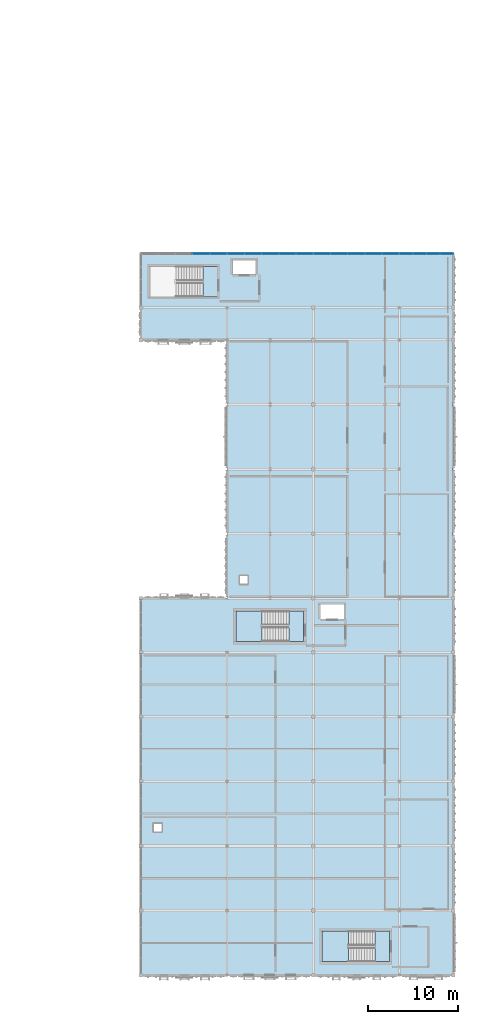
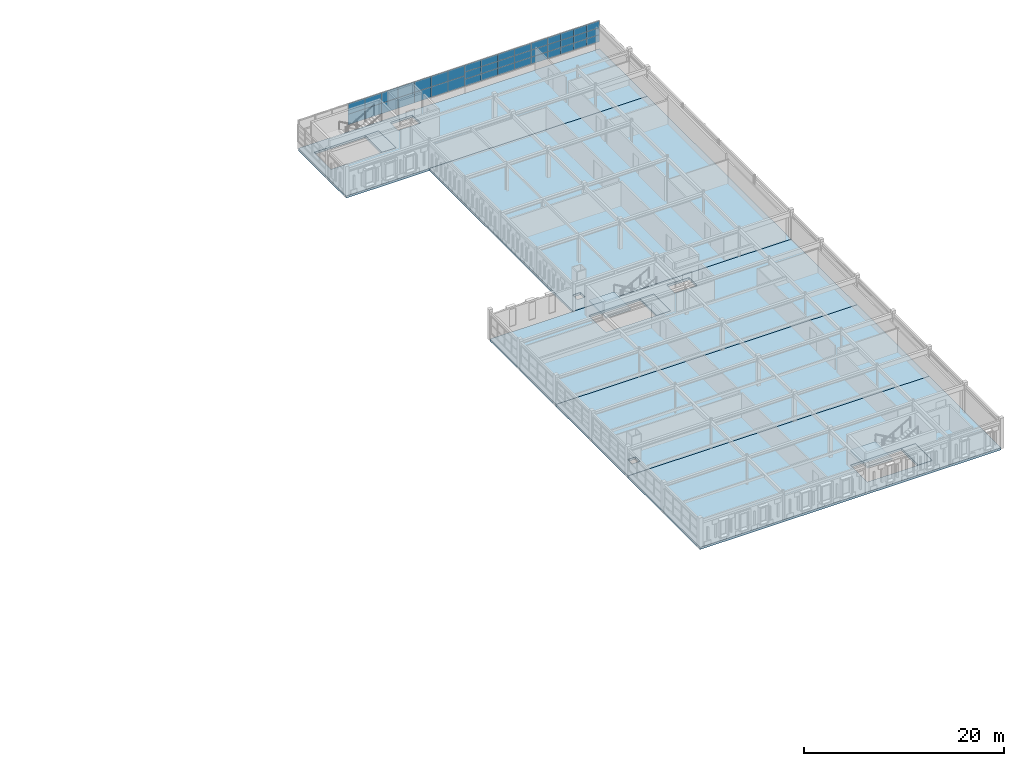
# One storey, part 24 of 46: 41 plates, 10 slabs, 6 elements without a shape of their own.
"""IFC4 building model written with IfcOpenShell, lengths in metres."""

import ifcopenshell
import ifcopenshell.guid

model = None  # the IFC model being written
_history = None  # IfcOwnerHistory: only IFC2X3 demands one
_inside = {}  # id of a spatial element -> (the spatial element, [elements in it])
_under = {}  # id of a project, library or spatial element -> (it, [spatial elements below it])
_declared = {}  # id of a project -> (the project, [libraries it declares])
_typed = {}  # id of a type object -> (the type object, [elements of that type])
_made_of = {}  # id of a material, layer set ... -> (it, [elements and type objects made of it])


def new_model(schema):
    """Start an empty IFC model of exactly this schema.

    Asked for "IFC4X3", IfcOpenShell would pick the latest addendum, in which some entities
    have other attributes; the version numbers below select the first issue.
    IFC2X3 requires an IfcOwnerHistory on every rooted entity: one is made here for all.
    """
    global model, _history
    if schema == "IFC4X3":
        model = ifcopenshell.file(schema_version=(4, 3, 0, 0))
    else:
        model = ifcopenshell.file(schema=schema)
    _inside.clear()
    _under.clear()
    _declared.clear()
    _typed.clear()
    _made_of.clear()
    _history = None
    if model.schema == "IFC2X3":
        org = make("IfcOrganization", Name="unknown")
        user = make(
            "IfcPersonAndOrganization",
            ThePerson=make("IfcPerson", FamilyName="unknown"),
            TheOrganization=org,
        )
        app = make(
            "IfcApplication",
            ApplicationDeveloper=org,
            Version="unknown",
            ApplicationFullName="unknown",
            ApplicationIdentifier="unknown",
        )
        _history = make(
            "IfcOwnerHistory",
            OwningUser=user,
            OwningApplication=app,
            ChangeAction="ADDED",
            CreationDate=0,
        )
    return model


def make(cls, **values):
    """One entity of the class cls with the attributes given. An attribute that is None is left unset."""
    return model.create_entity(
        cls, **{name: value for name, value in values.items() if value is not None}
    )


def rooted(cls, **values):
    """An entity with a GlobalId (a new one), such as an element, a storey or a relation."""
    return make(cls, GlobalId=ifcopenshell.guid.new(), OwnerHistory=_history, **values)


def si_unit(unit_type, name, prefix=None):
    """IfcSIUnit, for example si_unit("LENGTHUNIT", "METRE", prefix="MILLI")."""
    return make("IfcSIUnit", UnitType=unit_type, Prefix=prefix, Name=name)


def assignment(units):
    """IfcUnitAssignment: the units of a project."""
    return None if units is None else make("IfcUnitAssignment", Units=units)


def point(xyz):
    """IfcCartesianPoint."""
    return None if xyz is None else make("IfcCartesianPoint", Coordinates=xyz)


def direction(xyz):
    """IfcDirection."""
    return None if xyz is None else make("IfcDirection", DirectionRatios=xyz)


def frame(location, z_axis=None, x_axis=None):
    """IfcAxis2Placement3D, a coordinate frame: its origin and axes. An axis left out is left unset."""
    return make(
        "IfcAxis2Placement3D",
        Location=point(location),
        Axis=direction(z_axis),
        RefDirection=direction(x_axis),
    )


def frame_2d(location, x_axis=None):
    """IfcAxis2Placement2D, a coordinate frame in the plane: its origin and x axis."""
    return make(
        "IfcAxis2Placement2D", Location=point(location), RefDirection=direction(x_axis)
    )


def origin():
    """The frame at (0, 0, 0) with its axes left unset."""
    return frame((0.0, 0.0, 0.0))


def origin_2d():
    """The frame at (0, 0) in the plane with its x axis left unset."""
    return frame_2d((0.0, 0.0))


def place(relative_to, where):
    """IfcLocalPlacement: puts the frame where relative to a parent placement (None: the world)."""
    return make(
        "IfcLocalPlacement", PlacementRelTo=relative_to, RelativePlacement=where
    )


def context(
    kind, dimensions, precision=None, world=None, true_north=None, identifier=None
):
    """IfcGeometricRepresentationContext, for example the 3D "Model" context."""
    return make(
        "IfcGeometricRepresentationContext",
        ContextIdentifier=identifier,
        ContextType=kind,
        CoordinateSpaceDimension=dimensions,
        Precision=precision,
        WorldCoordinateSystem=world,
        TrueNorth=true_north,
    )


def subcontext(parent, identifier, kind, view, scale=None):
    """IfcGeometricRepresentationSubContext, for example "Body" below "Model"."""
    return make(
        "IfcGeometricRepresentationSubContext",
        ContextIdentifier=identifier,
        ContextType=kind,
        ParentContext=parent,
        TargetScale=scale,
        TargetView=view,
    )


def project(units=None, contexts=None):
    """IfcProject with its units and contexts."""
    return rooted(
        "IfcProject",
        Name="project",
        RepresentationContexts=contexts,
        UnitsInContext=assignment(units),
    )


def spatial(cls, under=None, at=None, **own):
    """A site, building, storey or space (cls), placed at a placement, below another one or the project."""
    s = rooted(cls, ObjectPlacement=at, **own)
    if under is not None:
        _under.setdefault(under.id(), (under, []))[1].append(s)
    return s


def polyline(points):
    """IfcPolyline through the points."""
    return make("IfcPolyline", Points=[point(p) for p in points])


def profile(cls, at=None, kind="AREA", **sizes):
    """A parametric profile (cls). Its sizes go by their IFC names, for example OverallWidth=200.0."""
    return make(cls, ProfileType=kind, Position=at, **sizes)


def rectangle(**sizes):
    """IfcRectangleProfileDef."""
    return profile("IfcRectangleProfileDef", **sizes)


def outline(outer, holes=None, kind="AREA"):
    """IfcArbitraryClosedProfileDef: a profile drawn as a closed curve; with holes, ...WithVoids."""
    if holes is None:
        return make("IfcArbitraryClosedProfileDef", ProfileType=kind, OuterCurve=outer)
    return make(
        "IfcArbitraryProfileDefWithVoids",
        ProfileType=kind,
        OuterCurve=outer,
        InnerCurves=holes,
    )


def extrude(swept, where, along, depth):
    """IfcExtrudedAreaSolid: the profile swept, set in the frame where, extruded along a direction by depth."""
    return make(
        "IfcExtrudedAreaSolid",
        SweptArea=swept,
        Position=where,
        ExtrudedDirection=direction(along),
        Depth=depth,
    )


def shape(context_of_items, identifier, shape_type, items):
    """IfcShapeRepresentation: the items that make up one representation, for example the "Body"."""
    return make(
        "IfcShapeRepresentation",
        ContextOfItems=context_of_items,
        RepresentationIdentifier=identifier,
        RepresentationType=shape_type,
        Items=items,
    )


def material(Name=None, Category=None):
    """IfcMaterial."""
    return make("IfcMaterial", Name=Name, Category=Category)


def layer(
    of_material, thickness, ventilated=None, Name=None, Category=None, Priority=None
):
    """IfcMaterialLayer: one layer of a wall or slab, of a material (None: an air gap)."""
    return make(
        "IfcMaterialLayer",
        Material=of_material,
        LayerThickness=thickness,
        IsVentilated=ventilated,
        Name=Name,
        Category=Category,
        Priority=Priority,
    )


def layer_set(layers, Name=None):
    """IfcMaterialLayerSet."""
    return make("IfcMaterialLayerSet", MaterialLayers=layers, LayerSetName=Name)


def made_of(thing, what):
    """Note that an element or type object is made of a material, layer set ...; save() writes the relation."""
    if what is not None:
        _made_of.setdefault(what.id(), (what, []))[1].append(thing)
    return thing


def type_object(cls, material=None, **own):
    """A type object (cls), such as IfcWallType, which elements share."""
    return made_of(rooted(cls, **own), material)


def element(
    cls,
    number,
    at=None,
    inside=None,
    cuts=None,
    type_object=None,
    material=None,
    context=None,
    identifier="Body",
    shape_type=None,
    held_by="IfcProductDefinitionShape",
    body=None,
    shapes=None,
    **own,
):
    """One element of the class cls, such as IfcWall. Its Tag is "e" and its number.

    at: its placement. inside: the storey or other place that contains it. cuts: it is an
    opening in that element (IfcRelVoidsElement). A single representation is given by context,
    identifier, shape_type and body (its items); several are given by shapes. held_by: the class
    of the entity that holds the representations. save() writes the other relations.
    """
    e = rooted(cls, Tag="e%d" % number, ObjectPlacement=at, **own)
    if body is not None:
        shapes = [shape(context, identifier, shape_type, body)]
    if shapes is not None:
        e.Representation = make(held_by, Representations=shapes)
    if inside is not None:
        _inside.setdefault(inside.id(), (inside, []))[1].append(e)
    if cuts is not None:
        rooted(
            "IfcRelVoidsElement", RelatingBuildingElement=cuts, RelatedOpeningElement=e
        )
    if type_object is not None:
        _typed.setdefault(type_object.id(), (type_object, []))[1].append(e)
    return made_of(e, material)


def aggregate(whole, parts):
    """IfcRelAggregates: a whole, such as a stair, and the parts it consists of."""
    return rooted("IfcRelAggregates", RelatingObject=whole, RelatedObjects=parts)


def save(model, path):
    """Write the relations noted so far, then the file.

    IfcRelAggregates (storeys below a building ...), IfcRelContainedInSpatialStructure (elements
    in a storey), IfcRelDefinesByType, IfcRelAssociatesMaterial and IfcRelDeclares: one each for
    every whole, place, type object, material and project.
    """
    for whole, parts in _under.values():
        aggregate(whole, parts)
    for where, things in _inside.values():
        rooted(
            "IfcRelContainedInSpatialStructure",
            RelatedElements=things,
            RelatingStructure=where,
        )
    for kind, things in _typed.values():
        rooted("IfcRelDefinesByType", RelatedObjects=things, RelatingType=kind)
    for what, things in _made_of.values():
        rooted("IfcRelAssociatesMaterial", RelatedObjects=things, RelatingMaterial=what)
    for by, libraries in _declared.values():
        rooted("IfcRelDeclares", RelatingContext=by, RelatedDefinitions=libraries)
    model.write(path)


model = new_model("IFC4")

# Units and contexts
model_context = context("Model", 3, precision=1e-05, world=origin(), true_north=direction((0.0, 1.0)))
body_context = subcontext(model_context, "Body", "Model", "MODEL_VIEW")
ifc_project = project(units=[si_unit("LENGTHUNIT", "METRE"), si_unit("AREAUNIT", "SQUARE_METRE"), si_unit("VOLUMEUNIT", "CUBIC_METRE"), si_unit("PLANEANGLEUNIT", "RADIAN"), si_unit("MASSUNIT", "GRAM", prefix="KILO")], contexts=[model_context])

# Site, building, storey
site_placement = place(None, origin())
site = spatial("IfcSite", under=ifc_project, at=site_placement, CompositionType="ELEMENT")
building_placement = place(site_placement, origin())
building = spatial("IfcBuilding", under=site, at=building_placement, Name="Nzembalo Square Collegiate School", CompositionType="ELEMENT")
storey_placement = place(building_placement, frame((0.0, 0.0, 17.340087890625)))
storey = spatial("IfcBuildingStorey", under=building, at=storey_placement, Name="L04", CompositionType="ELEMENT", Elevation=17.340087890625)

# Curtain wall, plates
ifc_material_1 = material(Name="Aluminium 6060-T66", Category="aluminium")
curtain_wall_type_1 = type_object("IfcCurtainWallType", Name="CW-09", PredefinedType="USERDEFINED", material=ifc_material_1)
curtain_wall_1_placement = place(storey_placement, origin())
curtain_wall_1 = element("IfcCurtainWall", 1, at=curtain_wall_1_placement, inside=storey, type_object=curtain_wall_type_1, Name="Curtain wall CW-09 cw:L04:140", ObjectType="UNITISED", PredefinedType="USERDEFINED")
ifc_material_2 = material(Name="Laminated solar-control double glazing", Category="glass")
ifc_layer_1 = layer(ifc_material_2, 0.028076171875, Name="Laminated solar-control double glazing")
ifc_layer_set_1 = layer_set([ifc_layer_1], Name="Laminated solar-control double glazing")
plate_type_1 = type_object("IfcPlateType", Name="PN01", PredefinedType="CURTAIN_PANEL", material=ifc_layer_set_1)
plate_1_placement = place(storey_placement, frame((150.9599609375, 88.800048828125, 0.85400390625), z_axis=(0.0, 0.0, 1.0), x_axis=(1.0, 0.0, 0.0)))
plate_1 = element("IfcPlate", 2, at=plate_1_placement, type_object=plate_type_1, Name="PN01 glazed panel 1-1", PredefinedType="CURTAIN_PANEL", context=body_context, shape_type="SweptSolid", body=[
    extrude(rectangle(XDim=1.912109375, YDim=0.028076171875, at=origin_2d()), origin(), (0.0, 0.0, 1.0), 0.853271484375),
])
plate_2_placement = place(storey_placement, frame((152.8798828125, 88.800048828125, 0.85400390625), z_axis=(0.0, 0.0, 1.0), x_axis=(1.0, 0.0, 0.0)))
plate_2 = element("IfcPlate", 3, at=plate_2_placement, type_object=plate_type_1, Name="PN01 glazed panel 1-2", PredefinedType="CURTAIN_PANEL", context=body_context, shape_type="SweptSolid", body=[
    extrude(rectangle(XDim=1.912109375, YDim=0.028076171875, at=origin_2d()), origin(), (0.0, 0.0, 1.0), 0.853271484375),
])
plate_3_placement = place(storey_placement, frame((154.800048828125, 88.800048828125, 0.85400390625), z_axis=(0.0, 0.0, 1.0), x_axis=(1.0, 0.0, 0.0)))
plate_3 = element("IfcPlate", 4, at=plate_3_placement, type_object=plate_type_1, Name="PN01 glazed panel 1-3", PredefinedType="CURTAIN_PANEL", context=body_context, shape_type="SweptSolid", body=[
    extrude(rectangle(XDim=1.912109375, YDim=0.028076171875, at=origin_2d()), origin(), (0.0, 0.0, 1.0), 0.853271484375),
])
plate_4_placement = place(storey_placement, frame((156.719970703125, 88.800048828125, 0.85400390625), z_axis=(0.0, 0.0, 1.0), x_axis=(1.0, 0.0, 0.0)))
plate_4 = element("IfcPlate", 5, at=plate_4_placement, type_object=plate_type_1, Name="PN01 glazed panel 1-4", PredefinedType="CURTAIN_PANEL", context=body_context, shape_type="SweptSolid", body=[
    extrude(rectangle(XDim=1.912109375, YDim=0.028076171875, at=origin_2d()), origin(), (0.0, 0.0, 1.0), 0.853271484375),
])
plate_5_placement = place(storey_placement, frame((158.639892578125, 88.800048828125, 0.85400390625), z_axis=(0.0, 0.0, 1.0), x_axis=(1.0, 0.0, 0.0)))
plate_5 = element("IfcPlate", 6, at=plate_5_placement, type_object=plate_type_1, Name="PN01 glazed panel 1-5", PredefinedType="CURTAIN_PANEL", context=body_context, shape_type="SweptSolid", body=[
    extrude(rectangle(XDim=1.912109375, YDim=0.028076171875, at=origin_2d()), origin(), (0.0, 0.0, 1.0), 0.853271484375),
])
plate_6_placement = place(storey_placement, frame((150.9599609375, 88.800048828125, 1.71533203125), z_axis=(0.0, 0.0, 1.0), x_axis=(1.0, 0.0, 0.0)))
plate_6 = element("IfcPlate", 7, at=plate_6_placement, type_object=plate_type_1, Name="PN01 glazed panel 2-1", PredefinedType="CURTAIN_PANEL", context=body_context, shape_type="SweptSolid", body=[
    extrude(rectangle(XDim=1.912109375, YDim=0.028076171875, at=origin_2d()), origin(), (0.0, 0.0, 1.0), 0.853271484375),
])
plate_7_placement = place(storey_placement, frame((152.8798828125, 88.800048828125, 1.71533203125), z_axis=(0.0, 0.0, 1.0), x_axis=(1.0, 0.0, 0.0)))
plate_7 = element("IfcPlate", 8, at=plate_7_placement, type_object=plate_type_1, Name="PN01 glazed panel 2-2", PredefinedType="CURTAIN_PANEL", context=body_context, shape_type="SweptSolid", body=[
    extrude(rectangle(XDim=1.912109375, YDim=0.028076171875, at=origin_2d()), origin(), (0.0, 0.0, 1.0), 0.853271484375),
])
plate_8_placement = place(storey_placement, frame((154.800048828125, 88.800048828125, 1.71533203125), z_axis=(0.0, 0.0, 1.0), x_axis=(1.0, 0.0, 0.0)))
plate_8 = element("IfcPlate", 9, at=plate_8_placement, type_object=plate_type_1, Name="PN01 glazed panel 2-3", PredefinedType="CURTAIN_PANEL", context=body_context, shape_type="SweptSolid", body=[
    extrude(rectangle(XDim=1.912109375, YDim=0.028076171875, at=origin_2d()), origin(), (0.0, 0.0, 1.0), 0.853271484375),
])
plate_9_placement = place(storey_placement, frame((156.719970703125, 88.800048828125, 1.71533203125), z_axis=(0.0, 0.0, 1.0), x_axis=(1.0, 0.0, 0.0)))
plate_9 = element("IfcPlate", 10, at=plate_9_placement, type_object=plate_type_1, Name="PN01 glazed panel 2-4", PredefinedType="CURTAIN_PANEL", context=body_context, shape_type="SweptSolid", body=[
    extrude(rectangle(XDim=1.912109375, YDim=0.028076171875, at=origin_2d()), origin(), (0.0, 0.0, 1.0), 0.853271484375),
])
plate_10_placement = place(storey_placement, frame((158.639892578125, 88.800048828125, 1.71533203125), z_axis=(0.0, 0.0, 1.0), x_axis=(1.0, 0.0, 0.0)))
plate_10 = element("IfcPlate", 11, at=plate_10_placement, type_object=plate_type_1, Name="PN01 glazed panel 2-5", PredefinedType="CURTAIN_PANEL", context=body_context, shape_type="SweptSolid", body=[
    extrude(rectangle(XDim=1.912109375, YDim=0.028076171875, at=origin_2d()), origin(), (0.0, 0.0, 1.0), 0.853271484375),
])
plate_11_placement = place(storey_placement, frame((150.9599609375, 88.800048828125, 2.57666015625), z_axis=(0.0, 0.0, 1.0), x_axis=(1.0, 0.0, 0.0)))
plate_11 = element("IfcPlate", 12, at=plate_11_placement, type_object=plate_type_1, Name="PN01 glazed panel 3-1", PredefinedType="CURTAIN_PANEL", context=body_context, shape_type="SweptSolid", body=[
    extrude(rectangle(XDim=1.912109375, YDim=0.028076171875, at=origin_2d()), origin(), (0.0, 0.0, 1.0), 0.853271484375),
])
plate_12_placement = place(storey_placement, frame((152.8798828125, 88.800048828125, 2.57666015625), z_axis=(0.0, 0.0, 1.0), x_axis=(1.0, 0.0, 0.0)))
plate_12 = element("IfcPlate", 13, at=plate_12_placement, type_object=plate_type_1, Name="PN01 glazed panel 3-2", PredefinedType="CURTAIN_PANEL", context=body_context, shape_type="SweptSolid", body=[
    extrude(rectangle(XDim=1.912109375, YDim=0.028076171875, at=origin_2d()), origin(), (0.0, 0.0, 1.0), 0.853271484375),
])
plate_13_placement = place(storey_placement, frame((154.800048828125, 88.800048828125, 2.57666015625), z_axis=(0.0, 0.0, 1.0), x_axis=(1.0, 0.0, 0.0)))
plate_13 = element("IfcPlate", 14, at=plate_13_placement, type_object=plate_type_1, Name="PN01 glazed panel 3-3", PredefinedType="CURTAIN_PANEL", context=body_context, shape_type="SweptSolid", body=[
    extrude(rectangle(XDim=1.912109375, YDim=0.028076171875, at=origin_2d()), origin(), (0.0, 0.0, 1.0), 0.853271484375),
])
plate_14_placement = place(storey_placement, frame((156.719970703125, 88.800048828125, 2.57666015625), z_axis=(0.0, 0.0, 1.0), x_axis=(1.0, 0.0, 0.0)))
plate_14 = element("IfcPlate", 15, at=plate_14_placement, type_object=plate_type_1, Name="PN01 glazed panel 3-4", PredefinedType="CURTAIN_PANEL", context=body_context, shape_type="SweptSolid", body=[
    extrude(rectangle(XDim=1.912109375, YDim=0.028076171875, at=origin_2d()), origin(), (0.0, 0.0, 1.0), 0.853271484375),
])
plate_15_placement = place(storey_placement, frame((158.639892578125, 88.800048828125, 2.57666015625), z_axis=(0.0, 0.0, 1.0), x_axis=(1.0, 0.0, 0.0)))
plate_15 = element("IfcPlate", 16, at=plate_15_placement, type_object=plate_type_1, Name="PN01 glazed panel 3-5", PredefinedType="CURTAIN_PANEL", context=body_context, shape_type="SweptSolid", body=[
    extrude(rectangle(XDim=1.912109375, YDim=0.028076171875, at=origin_2d()), origin(), (0.0, 0.0, 1.0), 0.853271484375),
])
aggregate(curtain_wall_1, [plate_1, plate_2, plate_3, plate_4, plate_5, plate_6, plate_7, plate_8, plate_9, plate_10, plate_11, plate_12, plate_13, plate_14, plate_15])

ifc_material_3 = material(Name="Aluminium 6060-T66", Category="aluminium")
curtain_wall_type_2 = type_object("IfcCurtainWallType", Name="CW-11", PredefinedType="USERDEFINED", material=ifc_material_3)
curtain_wall_2_placement = place(storey_placement, origin())
curtain_wall_2 = element("IfcCurtainWall", 17, at=curtain_wall_2_placement, inside=storey, type_object=curtain_wall_type_2, Name="Curtain wall CW-11 cw:L04:138", ObjectType="LANCET", PredefinedType="USERDEFINED")
ifc_material_4 = material(Name="Acoustic laminated solar-control glazing", Category="glass")
ifc_layer_2 = layer(ifc_material_4, 0.031982421875, Name="Acoustic laminated solar-control glazing")
ifc_layer_set_2 = layer_set([ifc_layer_2], Name="Acoustic laminated solar-control glazing")
plate_type_2 = type_object("IfcPlateType", Name="PN02", PredefinedType="CURTAIN_PANEL", material=ifc_layer_set_2)
plate_16_placement = place(storey_placement, frame((137.52001953125, 88.800048828125, 0.85400390625), z_axis=(0.0, 0.0, 1.0), x_axis=(1.0, 0.0, 0.0)))
plate_16 = element("IfcPlate", 18, at=plate_16_placement, type_object=plate_type_2, Name="PN02 glazed panel 1-4", PredefinedType="CURTAIN_PANEL", context=body_context, shape_type="SweptSolid", body=[
    extrude(rectangle(XDim=1.912109375, YDim=0.031982421875, at=origin_2d()), origin(), (0.0, 0.0, 1.0), 1.283935546875),
])
plate_17_placement = place(storey_placement, frame((139.43994140625, 88.800048828125, 0.85400390625), z_axis=(0.0, 0.0, 1.0), x_axis=(1.0, 0.0, 0.0)))
plate_17 = element("IfcPlate", 19, at=plate_17_placement, type_object=plate_type_2, Name="PN02 glazed panel 1-5", PredefinedType="CURTAIN_PANEL", context=body_context, shape_type="SweptSolid", body=[
    extrude(rectangle(XDim=1.912109375, YDim=0.031982421875, at=origin_2d()), origin(), (0.0, 0.0, 1.0), 1.283935546875),
])
plate_18_placement = place(storey_placement, frame((137.52001953125, 88.800048828125, 2.14599609375), z_axis=(0.0, 0.0, 1.0), x_axis=(1.0, 0.0, 0.0)))
plate_18 = element("IfcPlate", 20, at=plate_18_placement, type_object=plate_type_2, Name="PN02 glazed panel 2-4", PredefinedType="CURTAIN_PANEL", context=body_context, shape_type="SweptSolid", body=[
    extrude(rectangle(XDim=1.912109375, YDim=0.031982421875, at=origin_2d()), origin(), (0.0, 0.0, 1.0), 1.283935546875),
])
plate_19_placement = place(storey_placement, frame((139.43994140625, 88.800048828125, 2.14599609375), z_axis=(0.0, 0.0, 1.0), x_axis=(1.0, 0.0, 0.0)))
plate_19 = element("IfcPlate", 21, at=plate_19_placement, type_object=plate_type_2, Name="PN02 glazed panel 2-5", PredefinedType="CURTAIN_PANEL", context=body_context, shape_type="SweptSolid", body=[
    extrude(rectangle(XDim=1.912109375, YDim=0.031982421875, at=origin_2d()), origin(), (0.0, 0.0, 1.0), 1.283935546875),
])
aggregate(curtain_wall_2, [plate_16, plate_17, plate_18, plate_19])

ifc_material_5 = material(Name="Aluminium 6060-T66", Category="aluminium")
curtain_wall_type_3 = type_object("IfcCurtainWallType", Name="CW-12", PredefinedType="USERDEFINED", material=ifc_material_5)
curtain_wall_3_placement = place(storey_placement, origin())
curtain_wall_3 = element("IfcCurtainWall", 22, at=curtain_wall_3_placement, inside=storey, type_object=curtain_wall_type_3, Name="Curtain wall CW-12 cw:L04:139", ObjectType="LANCET", PredefinedType="USERDEFINED")
plate_20_placement = place(storey_placement, frame((141.360107421875, 88.800048828125, 0.85400390625), z_axis=(0.0, 0.0, 1.0), x_axis=(1.0, 0.0, 0.0)))
plate_20 = element("IfcPlate", 23, at=plate_20_placement, type_object=plate_type_2, Name="PN02 glazed panel 1-1", PredefinedType="CURTAIN_PANEL", context=body_context, shape_type="SweptSolid", body=[
    extrude(rectangle(XDim=1.912109375, YDim=0.031982421875, at=origin_2d()), origin(), (0.0, 0.0, 1.0), 1.283935546875),
])
plate_21_placement = place(storey_placement, frame((143.280029296875, 88.800048828125, 0.85400390625), z_axis=(0.0, 0.0, 1.0), x_axis=(1.0, 0.0, 0.0)))
plate_21 = element("IfcPlate", 24, at=plate_21_placement, type_object=plate_type_2, Name="PN02 glazed panel 1-2", PredefinedType="CURTAIN_PANEL", context=body_context, shape_type="SweptSolid", body=[
    extrude(rectangle(XDim=1.912109375, YDim=0.031982421875, at=origin_2d()), origin(), (0.0, 0.0, 1.0), 1.283935546875),
])
plate_22_placement = place(storey_placement, frame((145.199951171875, 88.800048828125, 0.85400390625), z_axis=(0.0, 0.0, 1.0), x_axis=(1.0, 0.0, 0.0)))
plate_22 = element("IfcPlate", 25, at=plate_22_placement, type_object=plate_type_2, Name="PN02 glazed panel 1-3", PredefinedType="CURTAIN_PANEL", context=body_context, shape_type="SweptSolid", body=[
    extrude(rectangle(XDim=1.912109375, YDim=0.031982421875, at=origin_2d()), origin(), (0.0, 0.0, 1.0), 1.283935546875),
])
plate_23_placement = place(storey_placement, frame((147.1201171875, 88.800048828125, 0.85400390625), z_axis=(0.0, 0.0, 1.0), x_axis=(1.0, 0.0, 0.0)))
plate_23 = element("IfcPlate", 26, at=plate_23_placement, type_object=plate_type_2, Name="PN02 glazed panel 1-4", PredefinedType="CURTAIN_PANEL", context=body_context, shape_type="SweptSolid", body=[
    extrude(rectangle(XDim=1.912109375, YDim=0.031982421875, at=origin_2d()), origin(), (0.0, 0.0, 1.0), 1.283935546875),
])
plate_24_placement = place(storey_placement, frame((149.0400390625, 88.800048828125, 0.85400390625), z_axis=(0.0, 0.0, 1.0), x_axis=(1.0, 0.0, 0.0)))
plate_24 = element("IfcPlate", 27, at=plate_24_placement, type_object=plate_type_2, Name="PN02 glazed panel 1-5", PredefinedType="CURTAIN_PANEL", context=body_context, shape_type="SweptSolid", body=[
    extrude(rectangle(XDim=1.912109375, YDim=0.031982421875, at=origin_2d()), origin(), (0.0, 0.0, 1.0), 1.283935546875),
])
plate_25_placement = place(storey_placement, frame((141.360107421875, 88.800048828125, 2.14599609375), z_axis=(0.0, 0.0, 1.0), x_axis=(1.0, 0.0, 0.0)))
plate_25 = element("IfcPlate", 28, at=plate_25_placement, type_object=plate_type_2, Name="PN02 glazed panel 2-1", PredefinedType="CURTAIN_PANEL", context=body_context, shape_type="SweptSolid", body=[
    extrude(rectangle(XDim=1.912109375, YDim=0.031982421875, at=origin_2d()), origin(), (0.0, 0.0, 1.0), 1.283935546875),
])
plate_26_placement = place(storey_placement, frame((143.280029296875, 88.800048828125, 2.14599609375), z_axis=(0.0, 0.0, 1.0), x_axis=(1.0, 0.0, 0.0)))
plate_26 = element("IfcPlate", 29, at=plate_26_placement, type_object=plate_type_2, Name="PN02 glazed panel 2-2", PredefinedType="CURTAIN_PANEL", context=body_context, shape_type="SweptSolid", body=[
    extrude(rectangle(XDim=1.912109375, YDim=0.031982421875, at=origin_2d()), origin(), (0.0, 0.0, 1.0), 1.283935546875),
])
plate_27_placement = place(storey_placement, frame((145.199951171875, 88.800048828125, 2.14599609375), z_axis=(0.0, 0.0, 1.0), x_axis=(1.0, 0.0, 0.0)))
plate_27 = element("IfcPlate", 30, at=plate_27_placement, type_object=plate_type_2, Name="PN02 glazed panel 2-3", PredefinedType="CURTAIN_PANEL", context=body_context, shape_type="SweptSolid", body=[
    extrude(rectangle(XDim=1.912109375, YDim=0.031982421875, at=origin_2d()), origin(), (0.0, 0.0, 1.0), 1.283935546875),
])
plate_28_placement = place(storey_placement, frame((147.1201171875, 88.800048828125, 2.14599609375), z_axis=(0.0, 0.0, 1.0), x_axis=(1.0, 0.0, 0.0)))
plate_28 = element("IfcPlate", 31, at=plate_28_placement, type_object=plate_type_2, Name="PN02 glazed panel 2-4", PredefinedType="CURTAIN_PANEL", context=body_context, shape_type="SweptSolid", body=[
    extrude(rectangle(XDim=1.912109375, YDim=0.031982421875, at=origin_2d()), origin(), (0.0, 0.0, 1.0), 1.283935546875),
])
plate_29_placement = place(storey_placement, frame((149.0400390625, 88.800048828125, 2.14599609375), z_axis=(0.0, 0.0, 1.0), x_axis=(1.0, 0.0, 0.0)))
plate_29 = element("IfcPlate", 32, at=plate_29_placement, type_object=plate_type_2, Name="PN02 glazed panel 2-5", PredefinedType="CURTAIN_PANEL", context=body_context, shape_type="SweptSolid", body=[
    extrude(rectangle(XDim=1.912109375, YDim=0.031982421875, at=origin_2d()), origin(), (0.0, 0.0, 1.0), 1.283935546875),
])
aggregate(curtain_wall_3, [plate_20, plate_21, plate_22, plate_23, plate_24, plate_25, plate_26, plate_27, plate_28, plate_29])

ifc_material_6 = material(Name="Aluminium 6060-T66", Category="aluminium")
curtain_wall_type_4 = type_object("IfcCurtainWallType", Name="CW-06", PredefinedType="USERDEFINED", material=ifc_material_6)
curtain_wall_4_placement = place(storey_placement, origin())
curtain_wall_4 = element("IfcCurtainWall", 33, at=curtain_wall_4_placement, inside=storey, type_object=curtain_wall_type_4, Name="Curtain wall CW-06 cw:L04:141", ObjectType="LANCET", PredefinedType="USERDEFINED")
plate_30_placement = place(storey_placement, frame((160.35009765625, 88.800048828125, 0.85400390625), z_axis=(0.0, 0.0, 1.0), x_axis=(1.0, 0.0, 0.0)))
plate_30 = element("IfcPlate", 34, at=plate_30_placement, type_object=plate_type_2, Name="PN02 glazed panel 1-1", PredefinedType="CURTAIN_PANEL", context=body_context, shape_type="SweptSolid", body=[
    extrude(rectangle(XDim=1.491943359375, YDim=0.031982421875, at=origin_2d()), origin(), (0.0, 0.0, 1.0), 0.853271484375),
])
plate_31_placement = place(storey_placement, frame((161.85009765625, 88.800048828125, 0.85400390625), z_axis=(0.0, 0.0, 1.0), x_axis=(1.0, 0.0, 0.0)))
plate_31 = element("IfcPlate", 35, at=plate_31_placement, type_object=plate_type_2, Name="PN02 glazed panel 1-2", PredefinedType="CURTAIN_PANEL", context=body_context, shape_type="SweptSolid", body=[
    extrude(rectangle(XDim=1.491943359375, YDim=0.031982421875, at=origin_2d()), origin(), (0.0, 0.0, 1.0), 0.853271484375),
])
plate_32_placement = place(storey_placement, frame((163.35009765625, 88.800048828125, 0.85400390625), z_axis=(0.0, 0.0, 1.0), x_axis=(1.0, 0.0, 0.0)))
plate_32 = element("IfcPlate", 36, at=plate_32_placement, type_object=plate_type_2, Name="PN02 glazed panel 1-3", PredefinedType="CURTAIN_PANEL", context=body_context, shape_type="SweptSolid", body=[
    extrude(rectangle(XDim=1.491943359375, YDim=0.031982421875, at=origin_2d()), origin(), (0.0, 0.0, 1.0), 0.853271484375),
])
plate_33_placement = place(storey_placement, frame((164.85009765625, 88.800048828125, 0.85400390625), z_axis=(0.0, 0.0, 1.0), x_axis=(1.0, 0.0, 0.0)))
plate_33 = element("IfcPlate", 37, at=plate_33_placement, type_object=plate_type_2, Name="PN02 glazed panel 1-4", PredefinedType="CURTAIN_PANEL", context=body_context, shape_type="SweptSolid", body=[
    extrude(rectangle(XDim=1.491943359375, YDim=0.031982421875, at=origin_2d()), origin(), (0.0, 0.0, 1.0), 0.853271484375),
])
plate_34_placement = place(storey_placement, frame((160.35009765625, 88.800048828125, 1.71533203125), z_axis=(0.0, 0.0, 1.0), x_axis=(1.0, 0.0, 0.0)))
plate_34 = element("IfcPlate", 38, at=plate_34_placement, type_object=plate_type_2, Name="PN02 glazed panel 2-1", PredefinedType="CURTAIN_PANEL", context=body_context, shape_type="SweptSolid", body=[
    extrude(rectangle(XDim=1.491943359375, YDim=0.031982421875, at=origin_2d()), origin(), (0.0, 0.0, 1.0), 0.853271484375),
])
plate_35_placement = place(storey_placement, frame((161.85009765625, 88.800048828125, 1.71533203125), z_axis=(0.0, 0.0, 1.0), x_axis=(1.0, 0.0, 0.0)))
plate_35 = element("IfcPlate", 39, at=plate_35_placement, type_object=plate_type_2, Name="PN02 glazed panel 2-2", PredefinedType="CURTAIN_PANEL", context=body_context, shape_type="SweptSolid", body=[
    extrude(rectangle(XDim=1.491943359375, YDim=0.031982421875, at=origin_2d()), origin(), (0.0, 0.0, 1.0), 0.853271484375),
])
plate_36_placement = place(storey_placement, frame((163.35009765625, 88.800048828125, 1.71533203125), z_axis=(0.0, 0.0, 1.0), x_axis=(1.0, 0.0, 0.0)))
plate_36 = element("IfcPlate", 40, at=plate_36_placement, type_object=plate_type_2, Name="PN02 glazed panel 2-3", PredefinedType="CURTAIN_PANEL", context=body_context, shape_type="SweptSolid", body=[
    extrude(rectangle(XDim=1.491943359375, YDim=0.031982421875, at=origin_2d()), origin(), (0.0, 0.0, 1.0), 0.853271484375),
])
plate_37_placement = place(storey_placement, frame((164.85009765625, 88.800048828125, 1.71533203125), z_axis=(0.0, 0.0, 1.0), x_axis=(1.0, 0.0, 0.0)))
plate_37 = element("IfcPlate", 41, at=plate_37_placement, type_object=plate_type_2, Name="PN02 glazed panel 2-4", PredefinedType="CURTAIN_PANEL", context=body_context, shape_type="SweptSolid", body=[
    extrude(rectangle(XDim=1.491943359375, YDim=0.031982421875, at=origin_2d()), origin(), (0.0, 0.0, 1.0), 0.853271484375),
])
plate_38_placement = place(storey_placement, frame((160.35009765625, 88.800048828125, 2.57666015625), z_axis=(0.0, 0.0, 1.0), x_axis=(1.0, 0.0, 0.0)))
plate_38 = element("IfcPlate", 42, at=plate_38_placement, type_object=plate_type_2, Name="PN02 glazed panel 3-1", PredefinedType="CURTAIN_PANEL", context=body_context, shape_type="SweptSolid", body=[
    extrude(rectangle(XDim=1.491943359375, YDim=0.031982421875, at=origin_2d()), origin(), (0.0, 0.0, 1.0), 0.853271484375),
])
plate_39_placement = place(storey_placement, frame((161.85009765625, 88.800048828125, 2.57666015625), z_axis=(0.0, 0.0, 1.0), x_axis=(1.0, 0.0, 0.0)))
plate_39 = element("IfcPlate", 43, at=plate_39_placement, type_object=plate_type_2, Name="PN02 glazed panel 3-2", PredefinedType="CURTAIN_PANEL", context=body_context, shape_type="SweptSolid", body=[
    extrude(rectangle(XDim=1.491943359375, YDim=0.031982421875, at=origin_2d()), origin(), (0.0, 0.0, 1.0), 0.853271484375),
])
plate_40_placement = place(storey_placement, frame((163.35009765625, 88.800048828125, 2.57666015625), z_axis=(0.0, 0.0, 1.0), x_axis=(1.0, 0.0, 0.0)))
plate_40 = element("IfcPlate", 44, at=plate_40_placement, type_object=plate_type_2, Name="PN02 glazed panel 3-3", PredefinedType="CURTAIN_PANEL", context=body_context, shape_type="SweptSolid", body=[
    extrude(rectangle(XDim=1.491943359375, YDim=0.031982421875, at=origin_2d()), origin(), (0.0, 0.0, 1.0), 0.853271484375),
])
plate_41_placement = place(storey_placement, frame((164.85009765625, 88.800048828125, 2.57666015625), z_axis=(0.0, 0.0, 1.0), x_axis=(1.0, 0.0, 0.0)))
plate_41 = element("IfcPlate", 45, at=plate_41_placement, type_object=plate_type_2, Name="PN02 glazed panel 3-4", PredefinedType="CURTAIN_PANEL", context=body_context, shape_type="SweptSolid", body=[
    extrude(rectangle(XDim=1.491943359375, YDim=0.031982421875, at=origin_2d()), origin(), (0.0, 0.0, 1.0), 0.853271484375),
])
aggregate(curtain_wall_4, [plate_30, plate_31, plate_32, plate_33, plate_34, plate_35, plate_36, plate_37, plate_38, plate_39, plate_40, plate_41])

# Stair, slab
ifc_material_7 = material(Name="Precast concrete C40/50", Category="concrete")
stair_type = type_object("IfcStairType", Name="ST-22R", PredefinedType="HALF_TURN_STAIR", material=ifc_material_7)
stair_1_placement = place(storey_placement, origin())
stair_1 = element("IfcStair", 46, at=stair_1_placement, inside=storey, type_object=stair_type, Name="Escape stair ST-23 (C5 L04)", PredefinedType="HALF_TURN_STAIR")
ifc_material_8 = material(Name="Precast concrete C40/50", Category="concrete")
ifc_layer_3 = layer(ifc_material_8, 0.199951171875, Name="Precast concrete C40/50")
ifc_layer_set_3 = layer_set([ifc_layer_3], Name="Precast concrete C40/50")
slab_type_1 = type_object("IfcSlabType", Name="SL-LDG", PredefinedType="LANDING", material=ifc_layer_set_3)
slab_1_placement = place(storey_placement, frame((0.0, 0.0, 1.669921875)))
slab_1 = element("IfcSlab", 47, at=slab_1_placement, type_object=slab_type_1, Name="ST-23 landing 1", PredefinedType="LANDING", context=body_context, shape_type="SweptSolid", body=[
    extrude(outline(polyline([(144.300048828125, 49.0), (141.39990234375, 49.0), (141.39990234375, 45.60009765625), (144.300048828125, 45.60009765625), (144.300048828125, 49.0)])), origin(), (0.0, 0.0, 1.0), 0.199951171875),
])
aggregate(stair_1, [slab_1])

stair_2_placement = place(storey_placement, origin())
stair_2 = element("IfcStair", 48, at=stair_2_placement, inside=storey, type_object=stair_type, Name="Escape stair ST-28 (C6 L04)", PredefinedType="HALF_TURN_STAIR")
slab_2_placement = place(storey_placement, frame((0.0, 0.0, 1.669921875)))
slab_2 = element("IfcSlab", 49, at=slab_2_placement, type_object=slab_type_1, Name="ST-28 landing 1", PredefinedType="LANDING", context=body_context, shape_type="SweptSolid", body=[
    extrude(outline(polyline([(153.89990234375, 13.300048828125), (151.0, 13.300048828125), (151.0, 9.89990234375), (153.89990234375, 9.89990234375), (153.89990234375, 13.300048828125)])), origin(), (0.0, 0.0, 1.0), 0.199951171875),
])
aggregate(stair_2, [slab_2])

# Slabs
ifc_material_9 = material(Name="CLT CL24", Category="wood")
ifc_layer_4 = layer(ifc_material_9, 0.27587890625, Name="CLT CL24")
ifc_layer_set_4 = layer_set([ifc_layer_4], Name="CLT CL24")
slab_type_2 = type_object("IfcSlabType", Name="SL-04", PredefinedType="FLOOR", material=ifc_layer_set_4)
slab_3_placement = place(storey_placement, frame((0.0, 0.0, -0.276123046875)))
element("IfcSlab", 50, at=slab_3_placement, inside=storey, type_object=slab_type_2, Name="Slab SL-L04-79", PredefinedType="FLOOR", context=body_context, shape_type="SweptSolid", body=[
    extrude(outline(polyline([(140.39990234375, 50.39990234375), (165.60009765625, 50.39990234375), (165.60009765625, 79.199951171875), (140.39990234375, 79.199951171875), (140.39990234375, 50.39990234375)]), holes=[polyline([(141.800048828125, 52.0), (142.699951171875, 52.0), (142.699951171875, 52.89990234375), (141.800048828125, 52.89990234375), (141.800048828125, 52.0)])]), origin(), (0.0, 0.0, 1.0), 0.276123046875),
])
slab_4_placement = place(storey_placement, frame((0.0, 0.0, -0.276123046875)))
element("IfcSlab", 51, at=slab_4_placement, inside=storey, type_object=slab_type_2, Name="Slab SL-L04-80", PredefinedType="FLOOR", context=body_context, shape_type="SweptSolid", body=[
    extrude(outline(polyline([(130.800048828125, 79.199951171875), (165.60009765625, 79.199951171875), (165.60009765625, 88.800048828125), (130.800048828125, 88.800048828125), (130.800048828125, 79.199951171875)]), holes=[polyline([(141.0, 86.5), (143.60009765625, 86.5), (143.60009765625, 88.10009765625), (141.0, 88.10009765625), (141.0, 86.5)]), polyline([(139.300048828125, 87.39990234375), (131.800048828125, 87.39990234375), (131.800048828125, 84.0), (139.300048828125, 84.0), (139.300048828125, 87.39990234375)])]), origin(), (0.0, 0.0, 1.0), 0.276123046875),
])
slab_5_placement = place(storey_placement, frame((0.0, 0.0, -0.276123046875)))
element("IfcSlab", 52, at=slab_5_placement, inside=storey, type_object=slab_type_2, Name="Slab SL-L04-81", PredefinedType="FLOOR", context=body_context, shape_type="SweptSolid", body=[
    extrude(outline(polyline([(130.800048828125, 8.39990234375), (165.60009765625, 8.39990234375), (165.60009765625, 22.800048828125), (130.800048828125, 22.800048828125), (130.800048828125, 8.39990234375)]), holes=[polyline([(158.5, 13.300048828125), (151.0, 13.300048828125), (151.0, 9.89990234375), (158.5, 9.89990234375), (158.5, 13.300048828125)])]), origin(), (0.0, 0.0, 1.0), 0.276123046875),
])
slab_6_placement = place(storey_placement, frame((0.0, 0.0, -0.276123046875)))
element("IfcSlab", 53, at=slab_6_placement, inside=storey, type_object=slab_type_2, Name="Slab SL-L04-82", PredefinedType="FLOOR", context=body_context, shape_type="SweptSolid", body=[
    extrude(outline(polyline([(130.800048828125, 22.800048828125), (165.60009765625, 22.800048828125), (165.60009765625, 37.199951171875), (130.800048828125, 37.199951171875), (130.800048828125, 22.800048828125)]), holes=[polyline([(132.199951171875, 24.39990234375), (133.10009765625, 24.39990234375), (133.10009765625, 25.300048828125), (132.199951171875, 25.300048828125), (132.199951171875, 24.39990234375)])]), origin(), (0.0, 0.0, 1.0), 0.276123046875),
])
slab_7_placement = place(storey_placement, frame((0.0, 0.0, -0.276123046875)))
element("IfcSlab", 54, at=slab_7_placement, inside=storey, type_object=slab_type_2, Name="Slab SL-L04-83", PredefinedType="FLOOR", context=body_context, shape_type="SweptSolid", body=[
    extrude(outline(polyline([(130.800048828125, 37.199951171875), (165.60009765625, 37.199951171875), (165.60009765625, 50.39990234375), (130.800048828125, 50.39990234375), (130.800048828125, 37.199951171875)]), holes=[polyline([(150.800048828125, 48.10009765625), (153.39990234375, 48.10009765625), (153.39990234375, 49.699951171875), (150.800048828125, 49.699951171875), (150.800048828125, 48.10009765625)]), polyline([(148.89990234375, 49.0), (141.39990234375, 49.0), (141.39990234375, 45.60009765625), (148.89990234375, 45.60009765625), (148.89990234375, 49.0)])]), origin(), (0.0, 0.0, 1.0), 0.276123046875),
])
slab_8_placement = place(storey_placement, frame((0.0, 0.0, -0.276123046875)))
element("IfcSlab", 55, at=slab_8_placement, inside=storey, type_object=slab_type_2, Name="Core C4 floor landing slab SL-L04-C4", PredefinedType="FLOOR", context=body_context, shape_type="SweptSolid", body=[
    extrude(outline(polyline([(137.699951171875, 84.0), (139.300048828125, 84.0), (139.300048828125, 87.39990234375), (137.699951171875, 87.39990234375), (137.699951171875, 84.0)])), origin(), (0.0, 0.0, 1.0), 0.276123046875),
])
slab_9_placement = place(storey_placement, frame((0.0, 0.0, -0.276123046875)))
element("IfcSlab", 56, at=slab_9_placement, inside=storey, type_object=slab_type_2, Name="Core C5 floor landing slab SL-L04-C5", PredefinedType="FLOOR", context=body_context, shape_type="SweptSolid", body=[
    extrude(outline(polyline([(147.300048828125, 45.60009765625), (148.89990234375, 45.60009765625), (148.89990234375, 49.0), (147.300048828125, 49.0), (147.300048828125, 45.60009765625)])), origin(), (0.0, 0.0, 1.0), 0.276123046875),
])
slab_10_placement = place(storey_placement, frame((0.0, 0.0, -0.276123046875)))
element("IfcSlab", 57, at=slab_10_placement, inside=storey, type_object=slab_type_2, Name="Core C6 floor landing slab SL-L04-C6", PredefinedType="FLOOR", context=body_context, shape_type="SweptSolid", body=[
    extrude(outline(polyline([(156.89990234375, 9.89990234375), (158.5, 9.89990234375), (158.5, 13.300048828125), (156.89990234375, 13.300048828125), (156.89990234375, 9.89990234375)])), origin(), (0.0, 0.0, 1.0), 0.276123046875),
])

save(model, "model.ifc")
